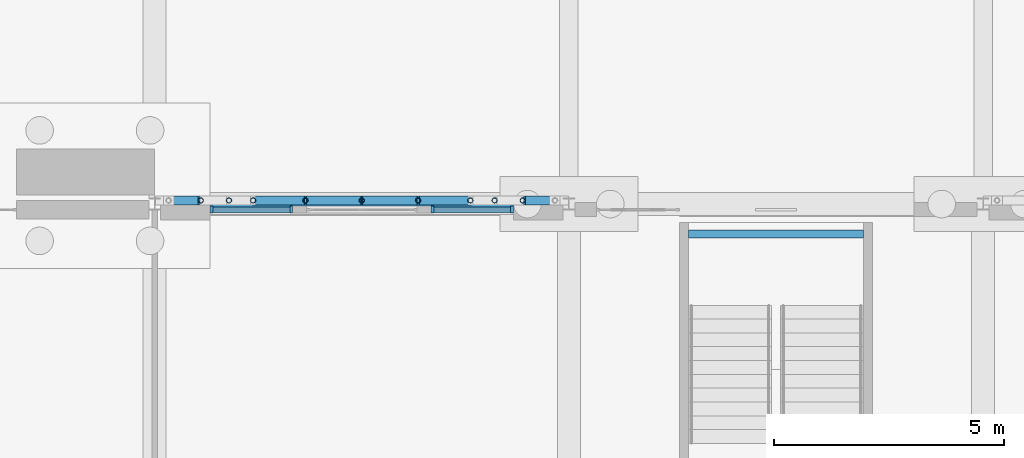
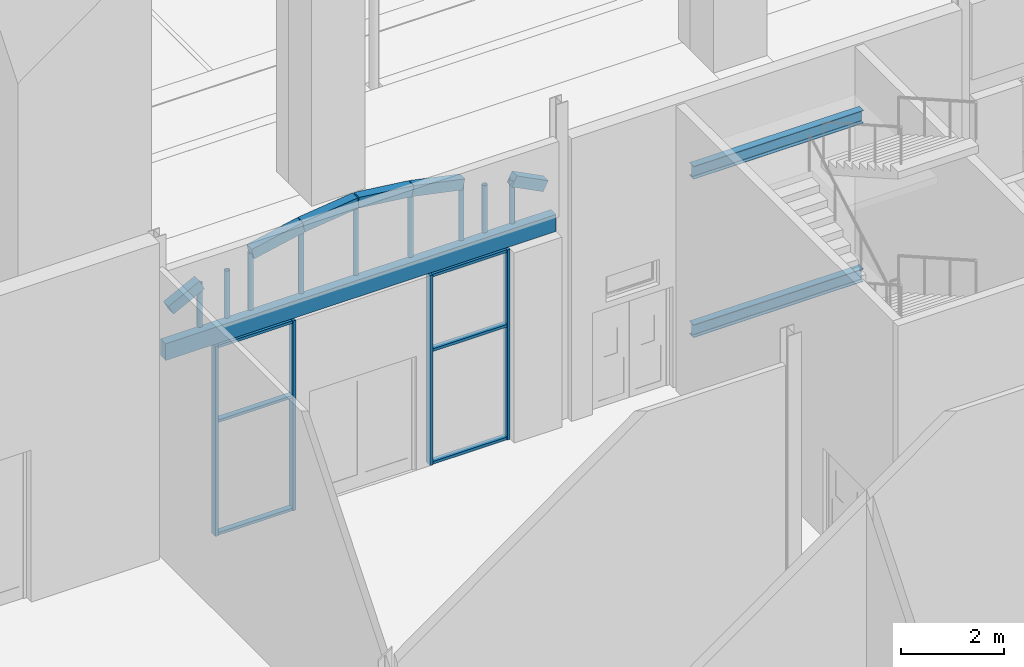
# One storey, part 54 of 250: 19 members, 9 beams, 2 elements without a shape of their own.
"""IFC4 building model written with IfcOpenShell, lengths in metres."""

from ifc_helpers import new_model, si_unit, direction, frame, origin, origin_2d, place, context, subcontext, project, spatial, rectangle, hollow_circle, i_section, extrude, material, material_profile, profile_set, type_object, element, aggregate, save


model = new_model("IFC4")

# Units and contexts
model_context = context("Model", 3, precision=1e-05, world=origin(), true_north=direction((0.0, 1.0)))
body_context = subcontext(model_context, "Body", "Model", "MODEL_VIEW")
ifc_project = project(units=[si_unit("LENGTHUNIT", "METRE"), si_unit("AREAUNIT", "SQUARE_METRE"), si_unit("VOLUMEUNIT", "CUBIC_METRE"), si_unit("PLANEANGLEUNIT", "RADIAN"), si_unit("MASSUNIT", "GRAM", prefix="KILO")], contexts=[model_context])

# Site, building, storey
site_placement = place(None, origin())
site = spatial("IfcSite", under=ifc_project, at=site_placement, CompositionType="ELEMENT")
building_placement = place(site_placement, origin())
building = spatial("IfcBuilding", under=site, at=building_placement, Name="Baradari Gate Terminus", CompositionType="ELEMENT")
storey_placement = place(building_placement, origin())
storey = spatial("IfcBuildingStorey", under=building, at=storey_placement, Name="L00", CompositionType="ELEMENT", Elevation=0.0)

# Members
ifc_material_1 = material(Name="Steel S355", Category="steel")
ifc_material_profile_1 = material_profile(ifc_material_1, hollow_circle(Radius=0.05712890625, WallThickness=0.00634765625, at=origin_2d()), Name="CHS 114.3x6.3")
ifc_profile_set_1 = profile_set([ifc_material_profile_1], Name="Steel S355")
member_type_1 = type_object("IfcMemberType", Name="Arcade arch post SP-2 114x6.3", PredefinedType="POST", material=ifc_profile_set_1)
member_1_placement = place(storey_placement, frame((172.00244140625, 108.07861328125, 4.89990234375), z_axis=(0.0, 0.0, 1.0), x_axis=(1.0, 0.0, 0.0)))
element("IfcMember", 1, at=member_1_placement, inside=storey, type_object=member_type_1, Name="Arcade arch post 19.3", PredefinedType="POST", context=body_context, shape_type="SweptSolid", body=[
    extrude(hollow_circle(Radius=0.05712890625, WallThickness=0.00634765625, at=origin_2d()), origin(), (0.0, 0.0, 1.0), 1.02587890625),
])
member_2_placement = place(storey_placement, frame((172.614501953125, 108.07861328125, 4.89990234375), z_axis=(0.0, 0.0, 1.0), x_axis=(1.0, 0.0, 0.0)))
element("IfcMember", 2, at=member_2_placement, inside=storey, type_object=member_type_1, Name="Arcade arch post 19.4", PredefinedType="POST", context=body_context, shape_type="SweptSolid", body=[
    extrude(hollow_circle(Radius=0.05712890625, WallThickness=0.00634765625, at=origin_2d()), origin(), (0.0, 0.0, 1.0), 1.115478515625),
])
member_3_placement = place(storey_placement, frame((173.13916015625, 108.07861328125, 4.89990234375), z_axis=(0.0, 0.0, 1.0), x_axis=(1.0, 0.0, 0.0)))
element("IfcMember", 3, at=member_3_placement, inside=storey, type_object=member_type_1, Name="Arcade arch post 19.5", PredefinedType="POST", context=body_context, shape_type="SweptSolid", body=[
    extrude(hollow_circle(Radius=0.05712890625, WallThickness=0.00634765625, at=origin_2d()), origin(), (0.0, 0.0, 1.0), 1.354248046875),
])
member_4_placement = place(storey_placement, frame((174.27587890625, 108.07861328125, 4.89990234375), z_axis=(0.0, 0.0, 1.0), x_axis=(1.0, 0.0, 0.0)))
element("IfcMember", 4, at=member_4_placement, inside=storey, type_object=member_type_1, Name="Arcade arch post 19.6", PredefinedType="POST", context=body_context, shape_type="SweptSolid", body=[
    extrude(hollow_circle(Radius=0.05712890625, WallThickness=0.00634765625, at=origin_2d()), origin(), (0.0, 0.0, 1.0), 1.593017578125),
])
member_5_placement = place(storey_placement, frame((175.5, 108.07861328125, 4.89990234375), z_axis=(0.0, 0.0, 1.0), x_axis=(1.0, 0.0, 0.0)))
element("IfcMember", 5, at=member_5_placement, inside=storey, type_object=member_type_1, Name="Arcade arch post 19.7", PredefinedType="POST", context=body_context, shape_type="SweptSolid", body=[
    extrude(hollow_circle(Radius=0.05712890625, WallThickness=0.00634765625, at=origin_2d()), origin(), (0.0, 0.0, 1.0), 1.7421875),
])
member_6_placement = place(storey_placement, frame((176.72412109375, 108.07861328125, 4.89990234375), z_axis=(0.0, 0.0, 1.0), x_axis=(1.0, 0.0, 0.0)))
element("IfcMember", 6, at=member_6_placement, inside=storey, type_object=member_type_1, Name="Arcade arch post 19.8", PredefinedType="POST", context=body_context, shape_type="SweptSolid", body=[
    extrude(hollow_circle(Radius=0.05712890625, WallThickness=0.00634765625, at=origin_2d()), origin(), (0.0, 0.0, 1.0), 1.593017578125),
])
member_7_placement = place(storey_placement, frame((177.86083984375, 108.07861328125, 4.89990234375), z_axis=(0.0, 0.0, 1.0), x_axis=(1.0, 0.0, 0.0)))
element("IfcMember", 7, at=member_7_placement, inside=storey, type_object=member_type_1, Name="Arcade arch post 19.9", PredefinedType="POST", context=body_context, shape_type="SweptSolid", body=[
    extrude(hollow_circle(Radius=0.05712890625, WallThickness=0.00634765625, at=origin_2d()), origin(), (0.0, 0.0, 1.0), 1.354248046875),
])
member_8_placement = place(storey_placement, frame((178.385498046875, 108.07861328125, 4.89990234375), z_axis=(0.0, 0.0, 1.0), x_axis=(1.0, 0.0, 0.0)))
element("IfcMember", 8, at=member_8_placement, inside=storey, type_object=member_type_1, Name="Arcade arch post 19.10", PredefinedType="POST", context=body_context, shape_type="SweptSolid", body=[
    extrude(hollow_circle(Radius=0.05712890625, WallThickness=0.00634765625, at=origin_2d()), origin(), (0.0, 0.0, 1.0), 1.115478515625),
])
member_9_placement = place(storey_placement, frame((178.99755859375, 108.07861328125, 4.89990234375), z_axis=(0.0, 0.0, 1.0), x_axis=(1.0, 0.0, 0.0)))
element("IfcMember", 9, at=member_9_placement, inside=storey, type_object=member_type_1, Name="Arcade arch post 19.11", PredefinedType="POST", context=body_context, shape_type="SweptSolid", body=[
    extrude(hollow_circle(Radius=0.05712890625, WallThickness=0.00634765625, at=origin_2d()), origin(), (0.0, 0.0, 1.0), 1.02587890625),
])

# Beams
ifc_material_2 = material(Name="Concrete C40/50 precast", Category="concrete")
ifc_material_profile_2 = material_profile(ifc_material_2, rectangle(XDim=0.199951171875, YDim=0.25, at=origin_2d()), Name="AB-1 200X250")
ifc_profile_set_2 = profile_set([ifc_material_profile_2], Name="Concrete C40/50 precast")
beam_type_1 = type_object("IfcBeamType", Name="Arcade arch segment AB-1 200x250", PredefinedType="BEAM", material=ifc_profile_set_2)
beam_1_placement = place(storey_placement, frame((171.302978515625, 108.07861328125, 5.56787109375), z_axis=(0.89022472097, 0.0, 0.455521619875), x_axis=(0.0, 1.0, 0.0)))
element("IfcBeam", 10, at=beam_1_placement, inside=storey, type_object=beam_type_1, Name="Arcade arch AB-1 bay 19 segment 2", PredefinedType="BEAM", context=body_context, shape_type="SweptSolid", body=[
    extrude(rectangle(XDim=0.199951171875, YDim=0.25, at=origin_2d()), origin(), (0.0, 0.0, 1.0), 0.78564453125),
])
beam_2_placement = place(storey_placement, frame((173.13916015625, 108.07861328125, 6.254150390625), z_axis=(0.978643349291, 0.0, 0.205565548885), x_axis=(0.0, 1.0, 0.0)))
element("IfcBeam", 11, at=beam_2_placement, inside=storey, type_object=beam_type_1, Name="Arcade arch AB-1 bay 19 segment 5", PredefinedType="BEAM", context=body_context, shape_type="SweptSolid", body=[
    extrude(rectangle(XDim=0.199951171875, YDim=0.25, at=origin_2d()), origin(), (0.0, 0.0, 1.0), 1.16162109375),
])
for number, where, z_axis, x_axis, name in (
    (12, (174.27587890625, 108.07861328125, 6.492919921875), (0.992656897947, 0.0, 0.120963973802), (0.0, 1.0, 0.0), "Arcade arch AB-1 bay 19 segment 6"),
    (13, (175.5, 108.07861328125, 6.64208984375), (0.992656897947, 0.0, -0.120963973802), (0.0, 1.0, 0.0), "Arcade arch AB-1 bay 19 segment 7"),
):
    element("IfcBeam", number, at=place(storey_placement, frame(where, z_axis=z_axis, x_axis=x_axis)), inside=storey, type_object=beam_type_1, Name=name, PredefinedType="BEAM", context=body_context, shape_type="SweptSolid", body=[
        extrude(rectangle(XDim=0.199951171875, YDim=0.25, at=origin_2d()), origin(), (0.0, 0.0, 1.0), 1.233154296875),
    ])
beam_3_placement = place(storey_placement, frame((176.72412109375, 108.07861328125, 6.492919921875), z_axis=(0.978643349291, 0.0, -0.205565548885), x_axis=(0.0, 1.0, 0.0)))
element("IfcBeam", 14, at=beam_3_placement, inside=storey, type_object=beam_type_1, Name="Arcade arch AB-1 bay 19 segment 8", PredefinedType="BEAM", context=body_context, shape_type="SweptSolid", body=[
    extrude(rectangle(XDim=0.199951171875, YDim=0.25, at=origin_2d()), origin(), (0.0, 0.0, 1.0), 1.16162109375),
])
beam_4_placement = place(storey_placement, frame((178.99755859375, 108.07861328125, 5.92578125), z_axis=(0.89022472097, 0.0, -0.455521619875), x_axis=(0.0, 1.0, 0.0)))
element("IfcBeam", 15, at=beam_4_placement, inside=storey, type_object=beam_type_1, Name="Arcade arch AB-1 bay 19 segment 11", PredefinedType="BEAM", context=body_context, shape_type="SweptSolid", body=[
    extrude(rectangle(XDim=0.199951171875, YDim=0.25, at=origin_2d()), origin(), (0.0, 0.0, 1.0), 0.78564453125),
])
ifc_material_3 = material(Name="Concrete C50/60 precast", Category="concrete")
ifc_material_profile_3 = material_profile(ifc_material_3, rectangle(XDim=0.199951171875, YDim=0.39990234375, at=origin_2d()), Name="LB-1 200X400")
ifc_profile_set_3 = profile_set([ifc_material_profile_3], Name="Concrete C50/60 precast")
beam_type_2 = type_object("IfcBeamType", Name="Arcade lintel LB-1 200x400", PredefinedType="LINTEL", material=ifc_profile_set_3)
beam_5_placement = place(storey_placement, frame((171.128173828125, 107.978515625, 4.699951171875), z_axis=(1.0, 0.0, 0.0), x_axis=(0.0, 1.0, 0.0)))
element("IfcBeam", 16, at=beam_5_placement, inside=storey, type_object=beam_type_2, Name="Arcade lintel LB-1 bay 19", PredefinedType="LINTEL", context=body_context, shape_type="SweptSolid", body=[
    extrude(rectangle(XDim=0.199951171875, YDim=0.39990234375, at=origin_2d()), origin(), (0.0, 0.0, 1.0), 8.74365234375),
])

# Curtain wall, members
ifc_material_4 = material(Name="Aluminium 6063-T6", Category="aluminium")
curtain_wall_type = type_object("IfcCurtainWallType", Name="Curtain wall CW-2 shopfront", PredefinedType="NOTDEFINED", material=ifc_material_4)
curtain_wall_1_placement = place(storey_placement, origin())
curtain_wall_1 = element("IfcCurtainWall", 17, at=curtain_wall_1_placement, inside=storey, type_object=curtain_wall_type, Name="Shopfront curtain wall CW-2 HN bay 19 L00", PredefinedType="NOTDEFINED")
ifc_material_5 = material(Name="Aluminium 6063-T6", Category="aluminium")
ifc_material_profile_4 = material_profile(ifc_material_5, rectangle(XDim=0.14990234375, YDim=0.06494140625, at=origin_2d()), Name="CM-2 65X150")
ifc_profile_set_4 = profile_set([ifc_material_profile_4], Name="Aluminium 6063-T6")
member_type_2 = type_object("IfcMemberType", Name="Curtain wall mullion CM-2 65x150", PredefinedType="MULLION", material=ifc_profile_set_4)
member_10_placement = place(storey_placement, frame((172.232421875, 107.87841796875, 0.0), z_axis=(0.0, 0.0, 1.0), x_axis=(0.0, 1.0, 0.0)))
member_10 = element("IfcMember", 18, at=member_10_placement, type_object=member_type_2, Name="CW-2 mullion 1", PredefinedType="MULLION", context=body_context, shape_type="SweptSolid", body=[
    extrude(rectangle(XDim=0.14990234375, YDim=0.06494140625, at=origin_2d()), origin(), (0.0, 0.0, 1.0), 4.5),
])
member_11_placement = place(storey_placement, frame((173.967529296875, 107.87841796875, 0.0), z_axis=(0.0, 0.0, 1.0), x_axis=(0.0, 1.0, 0.0)))
member_11 = element("IfcMember", 19, at=member_11_placement, type_object=member_type_2, Name="CW-2 mullion 2", PredefinedType="MULLION", context=body_context, shape_type="SweptSolid", body=[
    extrude(rectangle(XDim=0.14990234375, YDim=0.06494140625, at=origin_2d()), origin(), (0.0, 0.0, 1.0), 4.5),
])

curtain_wall_2_placement = place(storey_placement, origin())
curtain_wall_2 = element("IfcCurtainWall", 20, at=curtain_wall_2_placement, inside=storey, type_object=curtain_wall_type, Name="Shopfront curtain wall CW-2 HN bay 19 L00", PredefinedType="NOTDEFINED")
member_12_placement = place(storey_placement, frame((177.032470703125, 107.87841796875, 0.0), z_axis=(0.0, 0.0, 1.0), x_axis=(0.0, 1.0, 0.0)))
member_12 = element("IfcMember", 21, at=member_12_placement, type_object=member_type_2, Name="CW-2 mullion 1", PredefinedType="MULLION", context=body_context, shape_type="SweptSolid", body=[
    extrude(rectangle(XDim=0.14990234375, YDim=0.06494140625, at=origin_2d()), origin(), (0.0, 0.0, 1.0), 4.5),
])
member_13_placement = place(storey_placement, frame((178.767578125, 107.87841796875, 0.0), z_axis=(0.0, 0.0, 1.0), x_axis=(0.0, 1.0, 0.0)))
member_13 = element("IfcMember", 22, at=member_13_placement, type_object=member_type_2, Name="CW-2 mullion 2", PredefinedType="MULLION", context=body_context, shape_type="SweptSolid", body=[
    extrude(rectangle(XDim=0.14990234375, YDim=0.06494140625, at=origin_2d()), origin(), (0.0, 0.0, 1.0), 4.5),
])

# Member
ifc_material_6 = material(Name="Aluminium 6063-T6", Category="aluminium")
ifc_material_profile_5 = material_profile(ifc_material_6, rectangle(XDim=0.1201171875, YDim=0.06494140625, at=origin_2d()), Name="CT-2 65X120")
ifc_profile_set_5 = profile_set([ifc_material_profile_5], Name="Aluminium 6063-T6")
member_type_3 = type_object("IfcMemberType", Name="Curtain wall transom CT-2 65x120", PredefinedType="USERDEFINED", material=ifc_profile_set_5)
member_14_placement = place(storey_placement, frame((172.264892578125, 107.87841796875, 0.032470703125), z_axis=(1.0, 0.0, 0.0), x_axis=(0.0, 1.0, 0.0)))
member_14 = element("IfcMember", 23, at=member_14_placement, type_object=member_type_3, Name="CW-2 transom 1.1", ObjectType="TRANSOM", PredefinedType="USERDEFINED", context=body_context, shape_type="SweptSolid", body=[
    extrude(rectangle(XDim=0.1201171875, YDim=0.06494140625, at=origin_2d()), origin(), (0.0, 0.0, 1.0), 1.670166015625),
])

member_15_placement = place(storey_placement, frame((172.264892578125, 107.87841796875, 2.699951171875), z_axis=(1.0, 0.0, 0.0), x_axis=(0.0, 1.0, 0.0)))
member_15 = element("IfcMember", 24, at=member_15_placement, type_object=member_type_3, Name="CW-2 transom 1.2", ObjectType="TRANSOM", PredefinedType="USERDEFINED", context=body_context, shape_type="SweptSolid", body=[
    extrude(rectangle(XDim=0.1201171875, YDim=0.06494140625, at=origin_2d()), origin(), (0.0, 0.0, 1.0), 1.670166015625),
])

member_16_placement = place(storey_placement, frame((172.264892578125, 107.87841796875, 4.467529296875), z_axis=(1.0, 0.0, 0.0), x_axis=(0.0, 1.0, 0.0)))
member_16 = element("IfcMember", 25, at=member_16_placement, type_object=member_type_3, Name="CW-2 transom 1.3", ObjectType="TRANSOM", PredefinedType="USERDEFINED", context=body_context, shape_type="SweptSolid", body=[
    extrude(rectangle(XDim=0.1201171875, YDim=0.06494140625, at=origin_2d()), origin(), (0.0, 0.0, 1.0), 1.670166015625),
])

aggregate(curtain_wall_1, [member_10, member_11, member_14, member_15, member_16])

member_17_placement = place(storey_placement, frame((177.06494140625, 107.87841796875, 0.032470703125), z_axis=(1.0, 0.0, 0.0), x_axis=(0.0, 1.0, 0.0)))
member_17 = element("IfcMember", 26, at=member_17_placement, type_object=member_type_3, Name="CW-2 transom 1.1", ObjectType="TRANSOM", PredefinedType="USERDEFINED", context=body_context, shape_type="SweptSolid", body=[
    extrude(rectangle(XDim=0.1201171875, YDim=0.06494140625, at=origin_2d()), origin(), (0.0, 0.0, 1.0), 1.670166015625),
])

member_18_placement = place(storey_placement, frame((177.06494140625, 107.87841796875, 2.699951171875), z_axis=(1.0, 0.0, 0.0), x_axis=(0.0, 1.0, 0.0)))
member_18 = element("IfcMember", 27, at=member_18_placement, type_object=member_type_3, Name="CW-2 transom 1.2", ObjectType="TRANSOM", PredefinedType="USERDEFINED", context=body_context, shape_type="SweptSolid", body=[
    extrude(rectangle(XDim=0.1201171875, YDim=0.06494140625, at=origin_2d()), origin(), (0.0, 0.0, 1.0), 1.670166015625),
])

member_19_placement = place(storey_placement, frame((177.06494140625, 107.87841796875, 4.467529296875), z_axis=(1.0, 0.0, 0.0), x_axis=(0.0, 1.0, 0.0)))
member_19 = element("IfcMember", 28, at=member_19_placement, type_object=member_type_3, Name="CW-2 transom 1.3", ObjectType="TRANSOM", PredefinedType="USERDEFINED", context=body_context, shape_type="SweptSolid", body=[
    extrude(rectangle(XDim=0.1201171875, YDim=0.06494140625, at=origin_2d()), origin(), (0.0, 0.0, 1.0), 1.670166015625),
])

aggregate(curtain_wall_2, [member_12, member_13, member_17, member_18, member_19])

# Beams
ifc_material_7 = material(Name="Steel S355", Category="steel")
ifc_material_profile_6 = material_profile(ifc_material_7, i_section(OverallWidth=0.1650390625, OverallDepth=0.303466796875, WebThickness=0.006103515625, FlangeThickness=0.01025390625, FilletRadius=0.0087890625, at=origin_2d()), Name="UB 305x165x40")
ifc_profile_set_6 = profile_set([ifc_material_profile_6], Name="Steel S355")
beam_type_3 = type_object("IfcBeamType", Name="Landing beam B71 UB 305x165x40", PredefinedType="BEAM", material=ifc_profile_set_6)
beam_6_placement = place(storey_placement, frame((182.60009765625, 107.35009765625, 1.54833984375), z_axis=(1.0, 0.0, 0.0), x_axis=(0.0, 1.0, 0.0)))
element("IfcBeam", 29, at=beam_6_placement, inside=storey, type_object=beam_type_3, Name="B71 landing beam ST-H3/L1", PredefinedType="BEAM", context=body_context, shape_type="SweptSolid", body=[
    extrude(i_section(OverallWidth=0.1650390625, OverallDepth=0.303466796875, WebThickness=0.006103515625, FlangeThickness=0.01025390625, FilletRadius=0.0087890625, at=origin_2d()), origin(), (0.0, 0.0, 1.0), 3.7998046875),
])
ifc_material_8 = material(Name="Steel S355", Category="steel")
ifc_material_profile_7 = material_profile(ifc_material_8, i_section(OverallWidth=0.1650390625, OverallDepth=0.303466796875, WebThickness=0.006103515625, FlangeThickness=0.01025390625, FilletRadius=0.0087890625, at=origin_2d()), Name="UB 305x165x40")
ifc_profile_set_7 = profile_set([ifc_material_profile_7], Name="Steel S355")
beam_type_4 = type_object("IfcBeamType", Name="Landing beam B72 UB 305x165x40", PredefinedType="BEAM", material=ifc_profile_set_7)
beam_7_placement = place(storey_placement, frame((182.60009765625, 107.35009765625, 5.29833984375), z_axis=(1.0, 0.0, 0.0), x_axis=(0.0, 1.0, 0.0)))
element("IfcBeam", 30, at=beam_7_placement, inside=storey, type_object=beam_type_4, Name="B72 landing beam ST-H3/L3", PredefinedType="BEAM", context=body_context, shape_type="SweptSolid", body=[
    extrude(i_section(OverallWidth=0.1650390625, OverallDepth=0.303466796875, WebThickness=0.006103515625, FlangeThickness=0.01025390625, FilletRadius=0.0087890625, at=origin_2d()), origin(), (0.0, 0.0, 1.0), 3.7998046875),
])

save(model, "model.ifc")
